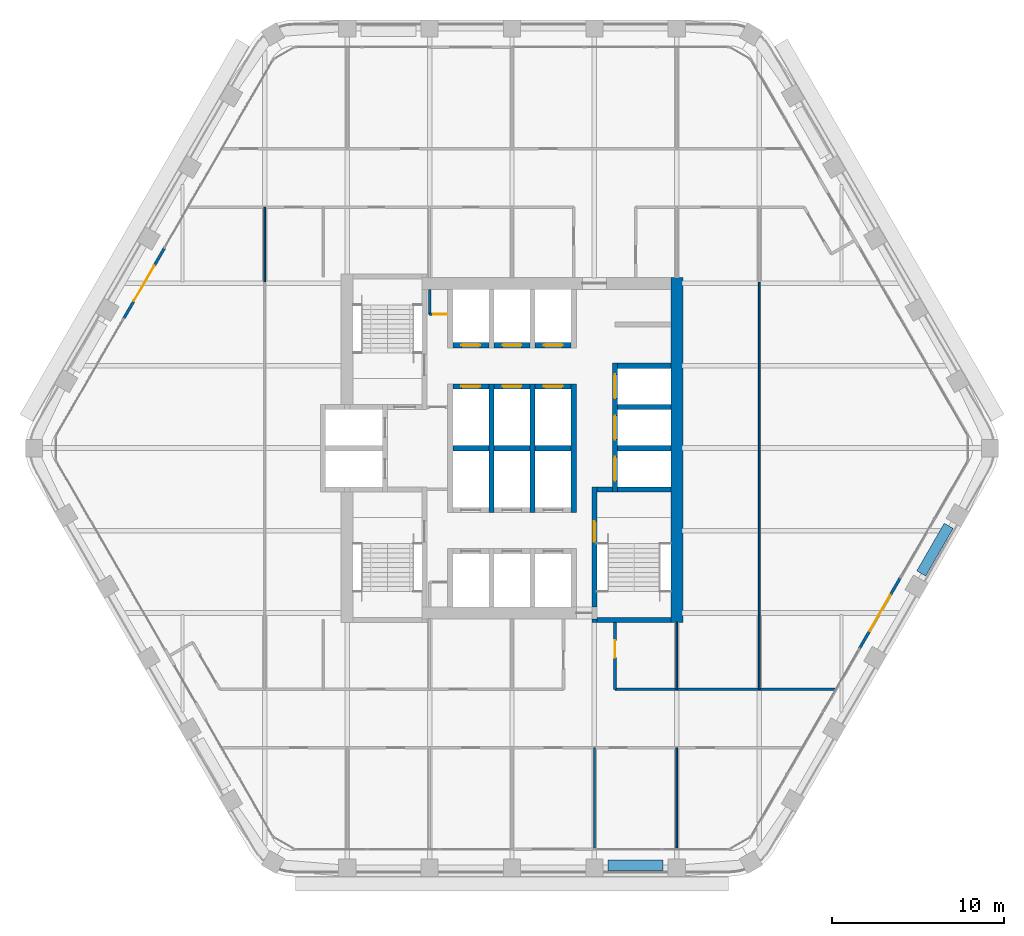
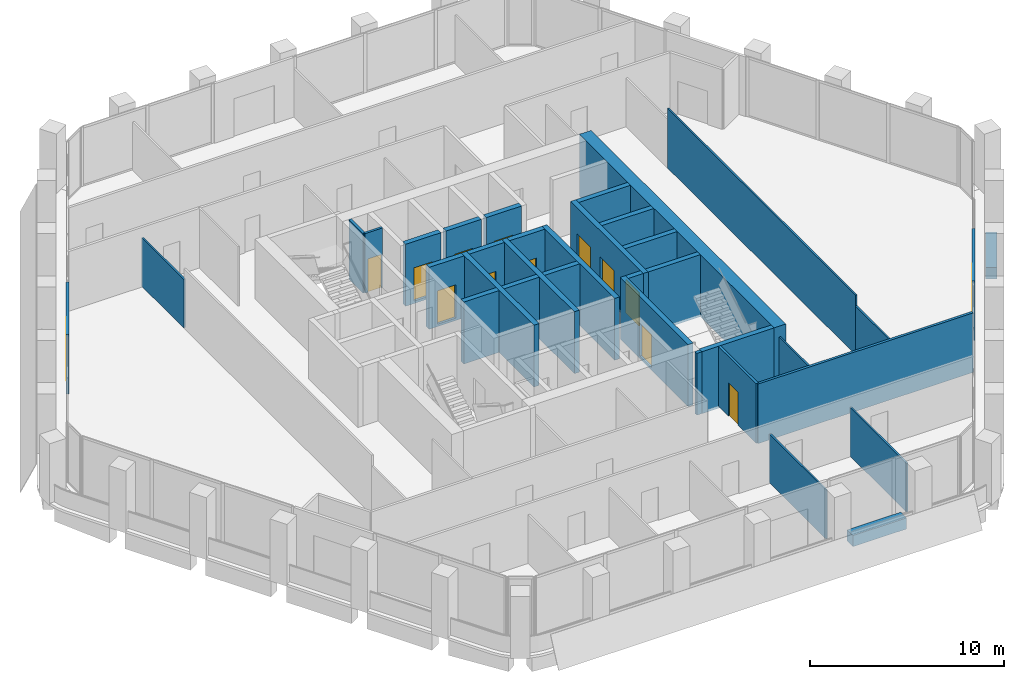
# One storey, part 10 of 15: 36 walls, 14 doors, 14 openings.
"""IFC4 building model written with IfcOpenShell, lengths in metres."""

from ifc_helpers import new_model, si_unit, direction, frame, frame_2d, origin, place, context, subcontext, project, spatial, rectangle, extrude, material, layer, layer_set, type_object, element, fill, save


model = new_model("IFC4")

# Units and contexts
model_context = context("Model", 3, precision=1e-05, world=origin(), true_north=direction((0.0, 1.0)))
body_context = subcontext(model_context, "Body", "Model", "MODEL_VIEW")
ifc_project = project(units=[si_unit("LENGTHUNIT", "METRE"), si_unit("AREAUNIT", "SQUARE_METRE"), si_unit("VOLUMEUNIT", "CUBIC_METRE"), si_unit("PLANEANGLEUNIT", "RADIAN"), si_unit("MASSUNIT", "GRAM", prefix="KILO")], contexts=[model_context])

# Site, building, storey
site_placement = place(None, origin())
site = spatial("IfcSite", under=ifc_project, at=site_placement, CompositionType="ELEMENT")
building_placement = place(site_placement, origin())
building = spatial("IfcBuilding", under=site, at=building_placement, Name="Kolab Exchange Tower", CompositionType="ELEMENT")
storey_placement = place(building_placement, frame((0.0, 0.0, 138.800048828125)))
storey = spatial("IfcBuildingStorey", under=building, at=storey_placement, Name="L27", CompositionType="ELEMENT", Elevation=138.800048828125)

# Wall
ifc_material_1 = material(Name="Concrete C60/75", Category="concrete")
ifc_layer_1 = layer(ifc_material_1, 0.699951171875)
ifc_layer_set_1 = layer_set([ifc_layer_1], Name="Concrete C60/75")
wall_type_1 = type_object("IfcWallType", Name="CORE WALL 700 C60/75", PredefinedType="SHEAR", material=ifc_layer_set_1)
wall_1_placement = place(storey_placement, frame((9.60009765625, -10.14990234375, -0.150146484375), z_axis=(0.0, 0.0, 1.0), x_axis=(0.0, 1.0, 0.0)))
element("IfcWall", 1, at=wall_1_placement, inside=storey, type_object=wall_type_1, Name="wall/L27/core/058", PredefinedType="SHEAR", context=body_context, shape_type="SweptSolid", body=[
    extrude(rectangle(XDim=20.099853515625, YDim=0.699951171875, at=frame_2d((10.0498046875, 0.0))), origin(), (0.0, 0.0, 1.0), 3.900146484375),
])

# Wall, opening, door
ifc_material_2 = material(Name="Aluminium EN AW-6063 T6", Category="aluminium")
ifc_layer_2 = layer(ifc_material_2, 0.159912109375)
ifc_layer_set_2 = layer_set([ifc_layer_2], Name="Aluminium EN AW-6063 T6")
wall_type_2 = type_object("IfcWallType", Name="DOOR SURROUND WALL 160 ALUMINIUM FRAMED", PredefinedType="PARTITIONING", material=ifc_layer_set_2)
wall_2_placement = place(storey_placement, frame((22.61669921875, -7.5498046875, 0.0), z_axis=(0.0, 0.0, 1.0), x_axis=(-0.5000167099, -0.866015756104, 0.0)))
wall_2 = element("IfcWall", 2, at=wall_2_placement, inside=storey, type_object=wall_type_2, Name="Door surround wall", PredefinedType="PARTITIONING", context=body_context, shape_type="SweptSolid", body=[
    extrude(rectangle(XDim=4.739990234375, YDim=0.159912109375, at=frame_2d((2.3701171875, 0.0))), origin(), (0.0, 0.0, 1.0), 3.75),
])
opening_1_placement = place(wall_2_placement, frame((1.169921875, 0.0, 0.0)))
opening_1 = element("IfcOpeningElement", 3, at=opening_1_placement, cuts=wall_2, Name="Opening GD1-066", PredefinedType="OPENING", context=body_context, shape_type="SweptSolid", body=[
    extrude(rectangle(XDim=2.39990234375, YDim=2.39990234375, at=frame_2d((1.199951171875, 1.199951171875))), frame((0.0, 0.08984375, 0.0), z_axis=(0.0, -1.0, 0.0), x_axis=(1.0, 0.0, 0.0)), (0.0, 0.0, 1.0), 0.179931640625),
])
door_type_1 = type_object("IfcDoorType", Name="LOGGIA SLIDING GLASS DOOR 2400 X 2400", OperationType="DOUBLE_DOOR_SINGLE_SWING", PredefinedType="DOOR", material=ifc_material_2)
door_1_placement = place(opening_1_placement, origin())
door_1 = element("IfcDoor", 4, at=door_1_placement, inside=storey, type_object=door_type_1, Name="Loggia door", OperationType="DOUBLE_DOOR_SLIDING", OverallHeight=2.39990234375, OverallWidth=2.39990234375, PredefinedType="DOOR", context=body_context, shape_type="SweptSolid", body=[
    extrude(rectangle(XDim=2.39990234375, YDim=2.39990234375, at=frame_2d((1.199951171875, 1.199951171875))), frame((0.0, 0.02490234375, 0.0), z_axis=(0.0, -1.0, 0.0), x_axis=(1.0, 0.0, 0.0)), (0.0, 0.0, 1.0), 0.050048828125),
])
fill(opening_1, door_1)

wall_3_placement = place(storey_placement, frame((-22.61669921875, 7.5498046875, 0.0), z_axis=(0.0, 0.0, 1.0), x_axis=(0.5000167099, 0.866015756104, 0.0)))
wall_3 = element("IfcWall", 5, at=wall_3_placement, inside=storey, type_object=wall_type_2, Name="Door surround wall", PredefinedType="PARTITIONING", context=body_context, shape_type="SweptSolid", body=[
    extrude(rectangle(XDim=4.739990234375, YDim=0.159912109375, at=frame_2d((2.3701171875, 0.0))), origin(), (0.0, 0.0, 1.0), 3.75),
])
opening_2_placement = place(wall_3_placement, frame((1.169921875, 0.0, 0.0)))
opening_2 = element("IfcOpeningElement", 6, at=opening_2_placement, cuts=wall_3, Name="Opening GD1-069", PredefinedType="OPENING", context=body_context, shape_type="SweptSolid", body=[
    extrude(rectangle(XDim=2.39990234375, YDim=2.39990234375, at=frame_2d((1.199951171875, 1.199951171875))), frame((0.0, 0.08984375, 0.0), z_axis=(0.0, -1.0, 0.0), x_axis=(1.0, 0.0, 0.0)), (0.0, 0.0, 1.0), 0.179931640625),
])
door_2_placement = place(opening_2_placement, origin())
door_2 = element("IfcDoor", 7, at=door_2_placement, inside=storey, type_object=door_type_1, Name="Loggia door", OperationType="DOUBLE_DOOR_SLIDING", OverallHeight=2.39990234375, OverallWidth=2.39990234375, PredefinedType="DOOR", context=body_context, shape_type="SweptSolid", body=[
    extrude(rectangle(XDim=2.39990234375, YDim=2.39990234375, at=frame_2d((1.199951171875, 1.199951171875))), frame((0.0, 0.02490234375, 0.0), z_axis=(0.0, -1.0, 0.0), x_axis=(1.0, 0.0, 0.0)), (0.0, 0.0, 1.0), 0.050048828125),
])
fill(opening_2, door_2)

# Walls
ifc_material_3 = material(Name="Concrete C50/60", Category="concrete")
ifc_layer_3 = layer(ifc_material_3, 0.300048828125)
ifc_layer_set_3 = layer_set([ifc_layer_3], Name="Concrete C50/60")
wall_type_3 = type_object("IfcWallType", Name="LIFT SHAFT WALL 300 C50/60", PredefinedType="STANDARD", material=ifc_layer_set_3)
wall_4_placement = place(storey_placement, frame((-3.449951171875, 0.0, -0.150146484375), z_axis=(0.0, 0.0, 1.0), x_axis=(1.0, 0.0, 0.0)))
element("IfcWall", 8, at=wall_4_placement, inside=storey, type_object=wall_type_3, Name="wall/L27/core/015", PredefinedType="STANDARD", context=body_context, shape_type="SweptSolid", body=[
    extrude(rectangle(XDim=2.099853515625, YDim=0.300048828125, at=frame_2d((1.0498046875, 0.0))), origin(), (0.0, 0.0, 1.0), 3.900146484375),
])
wall_5_placement = place(storey_placement, frame((-1.050048828125, 0.0, -0.150146484375), z_axis=(0.0, 0.0, 1.0), x_axis=(1.0, 0.0, 0.0)))
element("IfcWall", 9, at=wall_5_placement, inside=storey, type_object=wall_type_3, Name="wall/L27/core/016", PredefinedType="STANDARD", context=body_context, shape_type="SweptSolid", body=[
    extrude(rectangle(XDim=2.10009765625, YDim=0.300048828125, at=frame_2d((1.050048828125, 0.0))), origin(), (0.0, 0.0, 1.0), 3.900146484375),
])
wall_6_placement = place(storey_placement, frame((1.35009765625, 0.0, -0.150146484375), z_axis=(0.0, 0.0, 1.0), x_axis=(1.0, 0.0, 0.0)))
element("IfcWall", 10, at=wall_6_placement, inside=storey, type_object=wall_type_3, Name="wall/L27/core/017", PredefinedType="STANDARD", context=body_context, shape_type="SweptSolid", body=[
    extrude(rectangle(XDim=2.099853515625, YDim=0.300048828125, at=frame_2d((1.0498046875, 0.0))), origin(), (0.0, 0.0, 1.0), 3.900146484375),
])
for number, where, z_axis, x_axis, name in (
    (11, (6.14990234375, 0.0, -0.150146484375), (0.0, 0.0, 1.0), (1.0, 0.0, 0.0), "wall/L27/core/018"),
    (12, (6.14990234375, 2.39990234375, -0.150146484375), (0.0, 0.0, 1.0), (1.0, 0.0, 0.0), "wall/L27/core/022"),
):
    element("IfcWall", number, at=place(storey_placement, frame(where, z_axis=z_axis, x_axis=x_axis)), inside=storey, type_object=wall_type_3, Name=name, PredefinedType="STANDARD", context=body_context, shape_type="SweptSolid", body=[
        extrude(rectangle(XDim=3.10009765625, YDim=0.300048828125, at=frame_2d((1.550048828125, 0.0))), origin(), (0.0, 0.0, 1.0), 3.900146484375),
    ])

# Wall, opening, door
wall_7_placement = place(storey_placement, frame((-3.449951171875, 3.60009765625, -0.150146484375), z_axis=(0.0, 0.0, 1.0), x_axis=(1.0, 0.0, 0.0)))
wall_7 = element("IfcWall", 13, at=wall_7_placement, inside=storey, type_object=wall_type_3, Name="wall/L27/core/023", PredefinedType="STANDARD", context=body_context, shape_type="SweptSolid", body=[
    extrude(rectangle(XDim=2.099853515625, YDim=0.300048828125, at=frame_2d((1.0498046875, 0.0))), origin(), (0.0, 0.0, 1.0), 3.900146484375),
])
opening_3_placement = place(wall_7_placement, frame((0.5, 0.0, 0.14990234375)))
opening_3 = element("IfcOpeningElement", 14, at=opening_3_placement, cuts=wall_7, Name="Opening LD1-115", PredefinedType="OPENING", context=body_context, shape_type="SweptSolid", body=[
    extrude(rectangle(XDim=1.10009765625, YDim=2.10009765625, at=frame_2d((0.550048828125, 1.050048828125))), frame((0.0, 0.16015625, 0.0), z_axis=(0.0, -1.0, 0.0), x_axis=(1.0, 0.0, 0.0)), (0.0, 0.0, 1.0), 0.320068359375),
])
ifc_material_4 = material(Name="Stainless steel 316", Category="steel")
door_type_2 = type_object("IfcDoorType", Name="LANDING DOOR 1100 PASSENGER", OperationType="DOUBLE_DOOR_SLIDING", PredefinedType="DOOR", material=ifc_material_4)
door_3_placement = place(opening_3_placement, origin())
door_3 = element("IfcDoor", 15, at=door_3_placement, inside=storey, type_object=door_type_2, Name="Landing door HR4", OperationType="DOUBLE_DOOR_SLIDING", OverallHeight=2.10009765625, OverallWidth=1.10009765625, PredefinedType="DOOR", context=body_context, shape_type="SweptSolid", body=[
    extrude(rectangle(XDim=1.10009765625, YDim=2.10009765625, at=frame_2d((0.550048828125, 1.050048828125))), frame((0.0, 0.02490234375, 0.0), z_axis=(0.0, -1.0, 0.0), x_axis=(1.0, 0.0, 0.0)), (0.0, 0.0, 1.0), 0.050048828125),
])
fill(opening_3, door_3)

wall_8_placement = place(storey_placement, frame((-1.050048828125, 3.60009765625, -0.150146484375), z_axis=(0.0, 0.0, 1.0), x_axis=(1.0, 0.0, 0.0)))
wall_8 = element("IfcWall", 16, at=wall_8_placement, inside=storey, type_object=wall_type_3, Name="wall/L27/core/024", PredefinedType="STANDARD", context=body_context, shape_type="SweptSolid", body=[
    extrude(rectangle(XDim=2.10009765625, YDim=0.300048828125, at=frame_2d((1.050048828125, 0.0))), origin(), (0.0, 0.0, 1.0), 3.900146484375),
])
opening_4_placement = place(wall_8_placement, frame((0.5, 0.0, 0.14990234375)))
opening_4 = element("IfcOpeningElement", 17, at=opening_4_placement, cuts=wall_8, Name="Opening LD1-116", PredefinedType="OPENING", context=body_context, shape_type="SweptSolid", body=[
    extrude(rectangle(XDim=1.10009765625, YDim=2.10009765625, at=frame_2d((0.550048828125, 1.050048828125))), frame((0.0, 0.16015625, 0.0), z_axis=(0.0, -1.0, 0.0), x_axis=(1.0, 0.0, 0.0)), (0.0, 0.0, 1.0), 0.320068359375),
])
door_4_placement = place(opening_4_placement, origin())
door_4 = element("IfcDoor", 18, at=door_4_placement, inside=storey, type_object=door_type_2, Name="Landing door HR5", OperationType="DOUBLE_DOOR_SLIDING", OverallHeight=2.10009765625, OverallWidth=1.10009765625, PredefinedType="DOOR", context=body_context, shape_type="SweptSolid", body=[
    extrude(rectangle(XDim=1.10009765625, YDim=2.10009765625, at=frame_2d((0.550048828125, 1.050048828125))), frame((0.0, 0.02490234375, 0.0), z_axis=(0.0, -1.0, 0.0), x_axis=(1.0, 0.0, 0.0)), (0.0, 0.0, 1.0), 0.050048828125),
])
fill(opening_4, door_4)

wall_9_placement = place(storey_placement, frame((1.35009765625, 3.60009765625, -0.150146484375), z_axis=(0.0, 0.0, 1.0), x_axis=(1.0, 0.0, 0.0)))
wall_9 = element("IfcWall", 19, at=wall_9_placement, inside=storey, type_object=wall_type_3, Name="wall/L27/core/025", PredefinedType="STANDARD", context=body_context, shape_type="SweptSolid", body=[
    extrude(rectangle(XDim=2.099853515625, YDim=0.300048828125, at=frame_2d((1.0498046875, 0.0))), origin(), (0.0, 0.0, 1.0), 3.900146484375),
])
opening_5_placement = place(wall_9_placement, frame((0.5, 0.0, 0.14990234375)))
opening_5 = element("IfcOpeningElement", 20, at=opening_5_placement, cuts=wall_9, Name="Opening LD1-117", PredefinedType="OPENING", context=body_context, shape_type="SweptSolid", body=[
    extrude(rectangle(XDim=1.10009765625, YDim=2.10009765625, at=frame_2d((0.550048828125, 1.050048828125))), frame((0.0, 0.16015625, 0.0), z_axis=(0.0, -1.0, 0.0), x_axis=(1.0, 0.0, 0.0)), (0.0, 0.0, 1.0), 0.320068359375),
])
door_5_placement = place(opening_5_placement, origin())
door_5 = element("IfcDoor", 21, at=door_5_placement, inside=storey, type_object=door_type_2, Name="Landing door HR6", OperationType="DOUBLE_DOOR_SLIDING", OverallHeight=2.10009765625, OverallWidth=1.10009765625, PredefinedType="DOOR", context=body_context, shape_type="SweptSolid", body=[
    extrude(rectangle(XDim=1.10009765625, YDim=2.10009765625, at=frame_2d((0.550048828125, 1.050048828125))), frame((0.0, 0.02490234375, 0.0), z_axis=(0.0, -1.0, 0.0), x_axis=(1.0, 0.0, 0.0)), (0.0, 0.0, 1.0), 0.050048828125),
])
fill(opening_5, door_5)

# Wall
wall_10_placement = place(storey_placement, frame((6.14990234375, 4.800048828125, -0.150146484375), z_axis=(0.0, 0.0, 1.0), x_axis=(1.0, 0.0, 0.0)))
element("IfcWall", 22, at=wall_10_placement, inside=storey, type_object=wall_type_3, Name="wall/L27/core/026", PredefinedType="STANDARD", context=body_context, shape_type="SweptSolid", body=[
    extrude(rectangle(XDim=3.10009765625, YDim=0.300048828125, at=frame_2d((1.550048828125, 0.0))), origin(), (0.0, 0.0, 1.0), 3.900146484375),
])

# Wall, opening, door
wall_11_placement = place(storey_placement, frame((-3.449951171875, 6.0, -0.150146484375), z_axis=(0.0, 0.0, 1.0), x_axis=(1.0, 0.0, 0.0)))
wall_11 = element("IfcWall", 23, at=wall_11_placement, inside=storey, type_object=wall_type_3, Name="wall/L27/core/027", PredefinedType="STANDARD", context=body_context, shape_type="SweptSolid", body=[
    extrude(rectangle(XDim=2.099853515625, YDim=0.300048828125, at=frame_2d((1.0498046875, 0.0))), origin(), (0.0, 0.0, 1.0), 3.900146484375),
])
opening_6_placement = place(wall_11_placement, frame((0.5, 0.0, 0.14990234375)))
opening_6 = element("IfcOpeningElement", 24, at=opening_6_placement, cuts=wall_11, Name="Opening LD1-109", PredefinedType="OPENING", context=body_context, shape_type="SweptSolid", body=[
    extrude(rectangle(XDim=1.10009765625, YDim=2.10009765625, at=frame_2d((0.550048828125, 1.050048828125))), frame((0.0, 0.16015625, 0.0), z_axis=(0.0, -1.0, 0.0), x_axis=(1.0, 0.0, 0.0)), (0.0, 0.0, 1.0), 0.320068359375),
])
door_6_placement = place(opening_6_placement, origin())
door_6 = element("IfcDoor", 25, at=door_6_placement, inside=storey, type_object=door_type_2, Name="Landing door HR1", OperationType="DOUBLE_DOOR_SLIDING", OverallHeight=2.10009765625, OverallWidth=1.10009765625, PredefinedType="DOOR", context=body_context, shape_type="SweptSolid", body=[
    extrude(rectangle(XDim=1.10009765625, YDim=2.10009765625, at=frame_2d((0.550048828125, 1.050048828125))), frame((0.0, 0.02490234375, 0.0), z_axis=(0.0, -1.0, 0.0), x_axis=(1.0, 0.0, 0.0)), (0.0, 0.0, 1.0), 0.050048828125),
])
fill(opening_6, door_6)

wall_12_placement = place(storey_placement, frame((-1.050048828125, 6.0, -0.150146484375), z_axis=(0.0, 0.0, 1.0), x_axis=(1.0, 0.0, 0.0)))
wall_12 = element("IfcWall", 26, at=wall_12_placement, inside=storey, type_object=wall_type_3, Name="wall/L27/core/028", PredefinedType="STANDARD", context=body_context, shape_type="SweptSolid", body=[
    extrude(rectangle(XDim=2.10009765625, YDim=0.300048828125, at=frame_2d((1.050048828125, 0.0))), origin(), (0.0, 0.0, 1.0), 3.900146484375),
])
opening_7_placement = place(wall_12_placement, frame((0.5, 0.0, 0.14990234375)))
opening_7 = element("IfcOpeningElement", 27, at=opening_7_placement, cuts=wall_12, Name="Opening LD1-113", PredefinedType="OPENING", context=body_context, shape_type="SweptSolid", body=[
    extrude(rectangle(XDim=1.10009765625, YDim=2.10009765625, at=frame_2d((0.550048828125, 1.050048828125))), frame((0.0, 0.16015625, 0.0), z_axis=(0.0, -1.0, 0.0), x_axis=(1.0, 0.0, 0.0)), (0.0, 0.0, 1.0), 0.320068359375),
])
door_7_placement = place(opening_7_placement, origin())
door_7 = element("IfcDoor", 28, at=door_7_placement, inside=storey, type_object=door_type_2, Name="Landing door HR2", OperationType="DOUBLE_DOOR_SLIDING", OverallHeight=2.10009765625, OverallWidth=1.10009765625, PredefinedType="DOOR", context=body_context, shape_type="SweptSolid", body=[
    extrude(rectangle(XDim=1.10009765625, YDim=2.10009765625, at=frame_2d((0.550048828125, 1.050048828125))), frame((0.0, 0.02490234375, 0.0), z_axis=(0.0, -1.0, 0.0), x_axis=(1.0, 0.0, 0.0)), (0.0, 0.0, 1.0), 0.050048828125),
])
fill(opening_7, door_7)

wall_13_placement = place(storey_placement, frame((1.35009765625, 6.0, -0.150146484375), z_axis=(0.0, 0.0, 1.0), x_axis=(1.0, 0.0, 0.0)))
wall_13 = element("IfcWall", 29, at=wall_13_placement, inside=storey, type_object=wall_type_3, Name="wall/L27/core/029", PredefinedType="STANDARD", context=body_context, shape_type="SweptSolid", body=[
    extrude(rectangle(XDim=2.099853515625, YDim=0.300048828125, at=frame_2d((1.0498046875, 0.0))), origin(), (0.0, 0.0, 1.0), 3.900146484375),
])
opening_8_placement = place(wall_13_placement, frame((0.5, 0.0, 0.14990234375)))
opening_8 = element("IfcOpeningElement", 30, at=opening_8_placement, cuts=wall_13, Name="Opening LD1-114", PredefinedType="OPENING", context=body_context, shape_type="SweptSolid", body=[
    extrude(rectangle(XDim=1.10009765625, YDim=2.10009765625, at=frame_2d((0.550048828125, 1.050048828125))), frame((0.0, 0.16015625, 0.0), z_axis=(0.0, -1.0, 0.0), x_axis=(1.0, 0.0, 0.0)), (0.0, 0.0, 1.0), 0.320068359375),
])
door_8_placement = place(opening_8_placement, origin())
door_8 = element("IfcDoor", 31, at=door_8_placement, inside=storey, type_object=door_type_2, Name="Landing door HR3", OperationType="DOUBLE_DOOR_SLIDING", OverallHeight=2.10009765625, OverallWidth=1.10009765625, PredefinedType="DOOR", context=body_context, shape_type="SweptSolid", body=[
    extrude(rectangle(XDim=1.10009765625, YDim=2.10009765625, at=frame_2d((0.550048828125, 1.050048828125))), frame((0.0, 0.02490234375, 0.0), z_axis=(0.0, -1.0, 0.0), x_axis=(1.0, 0.0, 0.0)), (0.0, 0.0, 1.0), 0.050048828125),
])
fill(opening_8, door_8)

# Walls
for number, where, z_axis, x_axis, name in (
    (32, (-1.199951171875, -3.75, -0.150146484375), (0.0, 0.0, 1.0), (0.0, 1.0, 0.0), "wall/L27/core/047"),
    (33, (1.199951171875, -3.75, -0.150146484375), (0.0, 0.0, 1.0), (0.0, 1.0, 0.0), "wall/L27/core/050"),
    (34, (3.60009765625, -3.75, -0.150146484375), (0.0, 0.0, 1.0), (0.0, 1.0, 0.0), "wall/L27/core/053"),
):
    element("IfcWall", number, at=place(storey_placement, frame(where, z_axis=z_axis, x_axis=x_axis)), inside=storey, type_object=wall_type_3, Name=name, PredefinedType="STANDARD", context=body_context, shape_type="SweptSolid", body=[
        extrude(rectangle(XDim=7.5, YDim=0.300048828125, at=frame_2d((3.75, 0.0))), origin(), (0.0, 0.0, 1.0), 3.900146484375),
    ])

# Wall, openings, doors
wall_14_placement = place(storey_placement, frame((6.0, -2.550048828125, -0.150146484375), z_axis=(0.0, 0.0, 1.0), x_axis=(0.0, 1.0, 0.0)))
wall_14 = element("IfcWall", 35, at=wall_14_placement, inside=storey, type_object=wall_type_3, Name="wall/L27/core/057", PredefinedType="STANDARD", context=body_context, shape_type="SweptSolid", body=[
    extrude(rectangle(XDim=7.5, YDim=0.300048828125, at=frame_2d((3.75, 0.0))), origin(), (0.0, 0.0, 1.0), 3.900146484375),
])
opening_9_placement = place(wall_14_placement, frame((0.64990234375, 0.0, 0.14990234375)))
opening_9 = element("IfcOpeningElement", 36, at=opening_9_placement, cuts=wall_14, Name="Opening LD3-037", PredefinedType="OPENING", context=body_context, shape_type="SweptSolid", body=[
    extrude(rectangle(XDim=1.39990234375, YDim=2.10009765625, at=frame_2d((0.699951171875, 1.050048828125))), frame((0.0, 0.16015625, 0.0), z_axis=(0.0, -1.0, 0.0), x_axis=(1.0, 0.0, 0.0)), (0.0, 0.0, 1.0), 0.320068359375),
])
opening_10_placement = place(wall_14_placement, frame((3.050048828125, 0.0, 0.14990234375)))
opening_10 = element("IfcOpeningElement", 37, at=opening_10_placement, cuts=wall_14, Name="Opening LD3-038", PredefinedType="OPENING", context=body_context, shape_type="SweptSolid", body=[
    extrude(rectangle(XDim=1.39990234375, YDim=2.10009765625, at=frame_2d((0.699951171875, 1.050048828125))), frame((0.0, 0.16015625, 0.0), z_axis=(0.0, -1.0, 0.0), x_axis=(1.0, 0.0, 0.0)), (0.0, 0.0, 1.0), 0.320068359375),
])
opening_11_placement = place(wall_14_placement, frame((5.449951171875, 0.0, 0.14990234375)))
opening_11 = element("IfcOpeningElement", 38, at=opening_11_placement, cuts=wall_14, Name="Opening LD3-039", PredefinedType="OPENING", context=body_context, shape_type="SweptSolid", body=[
    extrude(rectangle(XDim=1.39990234375, YDim=2.10009765625, at=frame_2d((0.699951171875, 1.050048828125))), frame((0.0, 0.16015625, 0.0), z_axis=(0.0, -1.0, 0.0), x_axis=(1.0, 0.0, 0.0)), (0.0, 0.0, 1.0), 0.320068359375),
])
door_type_3 = type_object("IfcDoorType", Name="LANDING DOOR 1400 SERVICE", OperationType="DOUBLE_DOOR_SLIDING", PredefinedType="DOOR", material=ifc_material_4)
door_9_placement = place(opening_9_placement, origin())
door_9 = element("IfcDoor", 39, at=door_9_placement, inside=storey, type_object=door_type_3, Name="Landing door SV1", OperationType="DOUBLE_DOOR_SLIDING", OverallHeight=2.10009765625, OverallWidth=1.39990234375, PredefinedType="DOOR", context=body_context, shape_type="SweptSolid", body=[
    extrude(rectangle(XDim=1.39990234375, YDim=2.10009765625, at=frame_2d((0.699951171875, 1.050048828125))), frame((0.0, 0.02490234375, 0.0), z_axis=(0.0, -1.0, 0.0), x_axis=(1.0, 0.0, 0.0)), (0.0, 0.0, 1.0), 0.050048828125),
])
fill(opening_9, door_9)
door_10_placement = place(opening_10_placement, origin())
door_10 = element("IfcDoor", 40, at=door_10_placement, inside=storey, type_object=door_type_3, Name="Landing door SV2", OperationType="DOUBLE_DOOR_SLIDING", OverallHeight=2.10009765625, OverallWidth=1.39990234375, PredefinedType="DOOR", context=body_context, shape_type="SweptSolid", body=[
    extrude(rectangle(XDim=1.39990234375, YDim=2.10009765625, at=frame_2d((0.699951171875, 1.050048828125))), frame((0.0, 0.02490234375, 0.0), z_axis=(0.0, -1.0, 0.0), x_axis=(1.0, 0.0, 0.0)), (0.0, 0.0, 1.0), 0.050048828125),
])
fill(opening_10, door_10)
door_11_placement = place(opening_11_placement, origin())
door_11 = element("IfcDoor", 41, at=door_11_placement, inside=storey, type_object=door_type_3, Name="Landing door SV3", OperationType="DOUBLE_DOOR_SLIDING", OverallHeight=2.10009765625, OverallWidth=1.39990234375, PredefinedType="DOOR", context=body_context, shape_type="SweptSolid", body=[
    extrude(rectangle(XDim=1.39990234375, YDim=2.10009765625, at=frame_2d((0.699951171875, 1.050048828125))), frame((0.0, 0.02490234375, 0.0), z_axis=(0.0, -1.0, 0.0), x_axis=(1.0, 0.0, 0.0)), (0.0, 0.0, 1.0), 0.050048828125),
])
fill(opening_11, door_11)

# Walls
ifc_material_5 = material(Name="Gypsum board", Category="gypsum")
ifc_layer_4 = layer(ifc_material_5, 0.10009765625)
ifc_layer_set_4 = layer_set([ifc_layer_4], Name="Gypsum board")
wall_type_4 = type_object("IfcWallType", Name="PARTITION 100", PredefinedType="PARTITIONING", material=ifc_layer_set_4)
wall_15_placement = place(storey_placement, frame((14.39990234375, -9.693603515625, 0.0), z_axis=(0.0, 0.0, 1.0), x_axis=(0.0, 1.0, 0.0)))
element("IfcWall", 42, at=wall_15_placement, inside=storey, type_object=wall_type_4, Name="Partition 000", PredefinedType="PARTITIONING", context=body_context, shape_type="SweptSolid", body=[
    extrude(rectangle(XDim=19.38720703125, YDim=0.10009765625, at=frame_2d((9.693603515625, 0.0))), origin(), (0.0, 0.0, 1.0), 3.75),
])
wall_16_placement = place(storey_placement, frame((14.39990234375, -14.04150390625, 0.0), z_axis=(0.0, 0.0, 1.0), x_axis=(0.0, 1.0, 0.0)))
element("IfcWall", 43, at=wall_16_placement, inside=storey, type_object=wall_type_4, Name="Partition 000", PredefinedType="PARTITIONING", context=body_context, shape_type="SweptSolid", body=[
    extrude(rectangle(XDim=4.347900390625, YDim=0.10009765625, at=frame_2d((2.173828125, 0.0))), origin(), (0.0, 0.0, 1.0), 3.06591796875),
])
wall_17_placement = place(storey_placement, frame((9.60009765625, -23.271484375, 0.0), z_axis=(0.0, 0.0, 1.0), x_axis=(0.0, 1.0, 0.0)))
element("IfcWall", 44, at=wall_17_placement, inside=storey, type_object=wall_type_4, Name="Partition 001", PredefinedType="PARTITIONING", context=body_context, shape_type="SweptSolid", body=[
    extrude(rectangle(XDim=5.830078125, YDim=0.10009765625, at=frame_2d((2.9150390625, 0.0))), origin(), (0.0, 0.0, 1.0), 3.06591796875),
])
wall_18_placement = place(storey_placement, frame((9.60009765625, -14.04150390625, 0.0), z_axis=(0.0, 0.0, 1.0), x_axis=(0.0, 1.0, 0.0)))
element("IfcWall", 45, at=wall_18_placement, inside=storey, type_object=wall_type_4, Name="Partition 002", PredefinedType="PARTITIONING", context=body_context, shape_type="SweptSolid", body=[
    extrude(rectangle(XDim=3.8916015625, YDim=0.10009765625, at=frame_2d((1.94580078125, 0.0))), origin(), (0.0, 0.0, 1.0), 3.06591796875),
])
wall_19_placement = place(storey_placement, frame((4.800048828125, -23.281494140625, 0.0), z_axis=(0.0, 0.0, 1.0), x_axis=(0.0, 1.0, 0.0)))
element("IfcWall", 46, at=wall_19_placement, inside=storey, type_object=wall_type_4, Name="Partition 007", PredefinedType="PARTITIONING", context=body_context, shape_type="SweptSolid", body=[
    extrude(rectangle(XDim=5.840087890625, YDim=0.10009765625, at=frame_2d((2.919921875, 0.0))), origin(), (0.0, 0.0, 1.0), 3.06591796875),
])
wall_20_placement = place(storey_placement, frame((-14.39990234375, 9.693603515625, 0.0), z_axis=(0.0, 0.0, 1.0), x_axis=(0.0, 1.0, 0.0)))
element("IfcWall", 47, at=wall_20_placement, inside=storey, type_object=wall_type_4, Name="Partition 023", PredefinedType="PARTITIONING", context=body_context, shape_type="SweptSolid", body=[
    extrude(rectangle(XDim=4.347900390625, YDim=0.10009765625, at=frame_2d((2.173828125, 0.0))), origin(), (0.0, 0.0, 1.0), 3.06591796875),
])

# Wall, opening, door
ifc_layer_5 = layer(ifc_material_5, 0.14990234375)
ifc_layer_set_5 = layer_set([ifc_layer_5], Name="Gypsum board")
wall_type_5 = type_object("IfcWallType", Name="PARTITION 150 FIRE-RATED", PredefinedType="PARTITIONING", material=ifc_layer_set_5)
wall_21_placement = place(storey_placement, frame((6.0, -14.04150390625, 0.0), z_axis=(0.0, 0.0, 1.0), x_axis=(0.0, 1.0, 0.0)))
wall_21 = element("IfcWall", 48, at=wall_21_placement, inside=storey, type_object=wall_type_5, Name="Partition 006", PredefinedType="PARTITIONING", context=body_context, shape_type="SweptSolid", body=[
    extrude(rectangle(XDim=3.8916015625, YDim=0.14990234375, at=frame_2d((1.94580078125, 0.0))), origin(), (0.0, 0.0, 1.0), 3.75),
])
opening_12_placement = place(wall_21_placement, frame((1.842041015625, 0.0, 0.0)))
opening_12 = element("IfcOpeningElement", 49, at=opening_12_placement, cuts=wall_21, Name="Opening D1-402", PredefinedType="OPENING", context=body_context, shape_type="SweptSolid", body=[
    extrude(rectangle(XDim=1.0, YDim=2.10009765625, at=frame_2d((0.5, 1.050048828125))), frame((0.0, 0.0849609375, 0.0), z_axis=(0.0, -1.0, 0.0), x_axis=(1.0, 0.0, 0.0)), (0.0, 0.0, 1.0), 0.169921875),
])
ifc_material_6 = material(Name="Steel S235", Category="steel")
door_type_4 = type_object("IfcDoorType", Name="FLUSH DOOR 1000 FD60", OperationType="SINGLE_SWING_LEFT", PredefinedType="DOOR", material=ifc_material_6)
door_12_placement = place(opening_12_placement, frame((1.0, 0.0, 0.0), z_axis=(0.0, 0.0, 1.0), x_axis=(-1.0, 0.0, 0.0)))
door_12 = element("IfcDoor", 50, at=door_12_placement, inside=storey, type_object=door_type_4, Name="Door L27-035", OperationType="SINGLE_SWING_RIGHT", OverallHeight=2.10009765625, OverallWidth=1.0, PredefinedType="DOOR", context=body_context, shape_type="SweptSolid", body=[
    extrude(rectangle(XDim=1.0, YDim=2.10009765625, at=frame_2d((0.5, 1.050048828125))), frame((0.0, 0.02490234375, 0.0), z_axis=(0.0, -1.0, 0.0), x_axis=(1.0, 0.0, 0.0)), (0.0, 0.0, 1.0), 0.050048828125),
])
fill(opening_12, door_12)

# Walls
wall_22_placement = place(storey_placement, frame((-4.800048828125, 7.800048828125, 0.0), z_axis=(0.0, 0.0, 1.0), x_axis=(0.0, 1.0, 0.0)))
element("IfcWall", 51, at=wall_22_placement, inside=storey, type_object=wall_type_5, Name="Partition 018", PredefinedType="PARTITIONING", context=body_context, shape_type="SweptSolid", body=[
    extrude(rectangle(XDim=1.449951171875, YDim=0.14990234375, at=frame_2d((0.72509765625, 0.0))), origin(), (0.0, 0.0, 1.0), 3.75),
])
wall_23_placement = place(storey_placement, frame((6.0, -14.04150390625, 0.0), z_axis=(0.0, 0.0, 1.0), x_axis=(1.0, 0.0, 0.0)))
element("IfcWall", 52, at=wall_23_placement, inside=storey, type_object=wall_type_5, Name="Partition 030", PredefinedType="PARTITIONING", context=body_context, shape_type="SweptSolid", body=[
    extrude(rectangle(XDim=12.822509765625, YDim=0.14990234375, at=frame_2d((6.4111328125, 0.0))), origin(), (0.0, 0.0, 1.0), 3.75),
])

# Wall, opening, door
wall_24_placement = place(storey_placement, frame((-4.800048828125, 7.800048828125, 0.0), z_axis=(0.0, 0.0, 1.0), x_axis=(1.0, 0.0, 0.0)))
wall_24 = element("IfcWall", 53, at=wall_24_placement, inside=storey, type_object=wall_type_5, Name="Partition 032", PredefinedType="PARTITIONING", context=body_context, shape_type="SweptSolid", body=[
    extrude(rectangle(XDim=1.050048828125, YDim=0.14990234375, at=frame_2d((0.52490234375, 0.0))), origin(), (0.0, 0.0, 1.0), 3.75),
])
opening_13_placement = place(wall_24_placement, frame((0.199951171875, 0.0, 0.0)))
opening_13 = element("IfcOpeningElement", 54, at=opening_13_placement, cuts=wall_24, Name="Opening D7-030", PredefinedType="OPENING", context=body_context, shape_type="SweptSolid", body=[
    extrude(rectangle(XDim=0.800048828125, YDim=2.10009765625, at=frame_2d((0.39990234375, 1.050048828125))), frame((0.0, 0.0849609375, 0.0), z_axis=(0.0, -1.0, 0.0), x_axis=(1.0, 0.0, 0.0)), (0.0, 0.0, 1.0), 0.169921875),
])
door_type_5 = type_object("IfcDoorType", Name="FLUSH DOOR 800 FD60", OperationType="SINGLE_SWING_LEFT", PredefinedType="DOOR", material=ifc_material_6)
door_13_placement = place(opening_13_placement, origin())
door_13 = element("IfcDoor", 55, at=door_13_placement, inside=storey, type_object=door_type_5, Name="Door L27-023", OperationType="SINGLE_SWING_RIGHT", OverallHeight=2.10009765625, OverallWidth=0.800048828125, PredefinedType="DOOR", context=body_context, shape_type="SweptSolid", body=[
    extrude(rectangle(XDim=0.800048828125, YDim=2.10009765625, at=frame_2d((0.39990234375, 1.050048828125))), frame((0.0, 0.02490234375, 0.0), z_axis=(0.0, -1.0, 0.0), x_axis=(1.0, 0.0, 0.0)), (0.0, 0.0, 1.0), 0.050048828125),
])
fill(opening_13, door_13)

# Walls
ifc_material_7 = material(Name="Granite facing", Category="masonry")
ifc_layer_6 = layer(ifc_material_7, 0.0400390625)
ifc_material_8 = material(Name="Concrete C40/50 precast", Category="concrete")
ifc_layer_7 = layer(ifc_material_8, 0.56005859375)
ifc_layer_set_6 = layer_set([ifc_layer_6, ifc_layer_7], Name="Concrete C40/50 precast")
wall_type_6 = type_object("IfcWallType", Name="PLANTER BOX 600 X 700 SOIL DEPTH 550", PredefinedType="USERDEFINED", material=ifc_layer_set_6)
wall_25_placement = place(storey_placement, frame((25.43701171875, -4.524658203125, 0.0), z_axis=(0.0, 0.0, 1.0), x_axis=(-0.499938187974, -0.866061088033, 0.0)))
element("IfcWall", 56, at=wall_25_placement, inside=storey, type_object=wall_type_6, Name="Planter", ObjectType="PLANTER", PredefinedType="USERDEFINED", context=body_context, shape_type="SweptSolid", body=[
    extrude(rectangle(XDim=3.2001953125, YDim=0.60009765625, at=frame_2d((1.60009765625, 0.0))), origin(), (0.0, 0.0, 1.0), 0.699951171875),
])
wall_26_placement = place(storey_placement, frame((8.800048828125, -24.29150390625, 0.0), z_axis=(0.0, 0.0, 1.0), x_axis=(-1.0, 0.0, 0.0)))
element("IfcWall", 57, at=wall_26_placement, inside=storey, type_object=wall_type_6, Name="Planter", ObjectType="PLANTER", PredefinedType="USERDEFINED", context=body_context, shape_type="SweptSolid", body=[
    extrude(rectangle(XDim=3.199951171875, YDim=0.60009765625, at=frame_2d((1.60009765625, 0.0))), origin(), (0.0, 0.0, 1.0), 0.699951171875),
])
ifc_layer_8 = layer(ifc_material_3, 0.300048828125)
ifc_layer_set_7 = layer_set([ifc_layer_8], Name="Concrete C50/60")
wall_type_7 = type_object("IfcWallType", Name="STAIR ENCLOSURE WALL 300 C50/60", PredefinedType="STANDARD", material=ifc_layer_set_7)
wall_27_placement = place(storey_placement, frame((4.949951171875, -10.0, -0.150146484375), z_axis=(0.0, 0.0, 1.0), x_axis=(1.0, 0.0, 0.0)))
element("IfcWall", 58, at=wall_27_placement, inside=storey, type_object=wall_type_7, Name="wall/L27/core/001", PredefinedType="STANDARD", context=body_context, shape_type="SweptSolid", body=[
    extrude(rectangle(XDim=4.300048828125, YDim=0.300048828125, at=frame_2d((2.14990234375, 0.0))), origin(), (0.0, 0.0, 1.0), 3.900146484375),
])
wall_28_placement = place(storey_placement, frame((4.949951171875, -2.39990234375, -0.150146484375), z_axis=(0.0, 0.0, 1.0), x_axis=(1.0, 0.0, 0.0)))
element("IfcWall", 59, at=wall_28_placement, inside=storey, type_object=wall_type_7, Name="wall/L27/core/012", PredefinedType="STANDARD", context=body_context, shape_type="SweptSolid", body=[
    extrude(rectangle(XDim=0.900146484375, YDim=0.300048828125, at=frame_2d((0.4501953125, 0.0))), origin(), (0.0, 0.0, 1.0), 3.900146484375),
])
wall_29_placement = place(storey_placement, frame((6.14990234375, -2.39990234375, -0.150146484375), z_axis=(0.0, 0.0, 1.0), x_axis=(1.0, 0.0, 0.0)))
element("IfcWall", 60, at=wall_29_placement, inside=storey, type_object=wall_type_7, Name="wall/L27/core/013", PredefinedType="STANDARD", context=body_context, shape_type="SweptSolid", body=[
    extrude(rectangle(XDim=3.10009765625, YDim=0.300048828125, at=frame_2d((1.550048828125, 0.0))), origin(), (0.0, 0.0, 1.0), 3.900146484375),
])
wall_30_placement = place(storey_placement, frame((4.800048828125, -10.14990234375, -0.150146484375), z_axis=(0.0, 0.0, 1.0), x_axis=(0.0, 1.0, 0.0)))
element("IfcWall", 61, at=wall_30_placement, inside=storey, type_object=wall_type_7, Name="wall/L27/core/055", PredefinedType="STANDARD", context=body_context, shape_type="SweptSolid", body=[
    extrude(rectangle(XDim=0.199951171875, YDim=0.300048828125, at=frame_2d((0.10009765625, 0.0))), origin(), (0.0, 0.0, 1.0), 3.900146484375),
])

# Wall, opening, door
wall_31_placement = place(storey_placement, frame((4.800048828125, -9.25, -0.150146484375), z_axis=(0.0, 0.0, 1.0), x_axis=(0.0, 1.0, 0.0)))
wall_31 = element("IfcWall", 62, at=wall_31_placement, inside=storey, type_object=wall_type_7, Name="wall/L27/core/056", PredefinedType="STANDARD", context=body_context, shape_type="SweptSolid", body=[
    extrude(rectangle(XDim=7.0, YDim=0.300048828125, at=frame_2d((3.5, 0.0))), origin(), (0.0, 0.0, 1.0), 3.900146484375),
])
opening_14_placement = place(wall_31_placement, frame((3.800048828125, 0.0, 0.14990234375)))
opening_14 = element("IfcOpeningElement", 63, at=opening_14_placement, cuts=wall_31, Name="Opening D4-067", PredefinedType="OPENING", context=body_context, shape_type="SweptSolid", body=[
    extrude(rectangle(XDim=1.199951171875, YDim=2.10009765625, at=frame_2d((0.60009765625, 1.050048828125))), frame((0.0, 0.16015625, 0.0), z_axis=(0.0, -1.0, 0.0), x_axis=(1.0, 0.0, 0.0)), (0.0, 0.0, 1.0), 0.320068359375),
])
door_type_6 = type_object("IfcDoorType", Name="STAIR DOOR 1200 EI 120", OperationType="SINGLE_SWING_LEFT", PredefinedType="DOOR", material=ifc_material_6)
door_14_placement = place(opening_14_placement, frame((1.199951171875, 0.0, 0.0), z_axis=(0.0, 0.0, 1.0), x_axis=(-1.0, 0.0, 0.0)))
door_14 = element("IfcDoor", 64, at=door_14_placement, inside=storey, type_object=door_type_6, Name="Stair 2 door", OperationType="SINGLE_SWING_RIGHT", OverallHeight=2.10009765625, OverallWidth=1.199951171875, PredefinedType="DOOR", context=body_context, shape_type="SweptSolid", body=[
    extrude(rectangle(XDim=1.199951171875, YDim=2.10009765625, at=frame_2d((0.60009765625, 1.050048828125))), frame((0.0, 0.02490234375, 0.0), z_axis=(0.0, -1.0, 0.0), x_axis=(1.0, 0.0, 0.0)), (0.0, 0.0, 1.0), 0.050048828125),
])
fill(opening_14, door_14)

save(model, "model.ifc")
